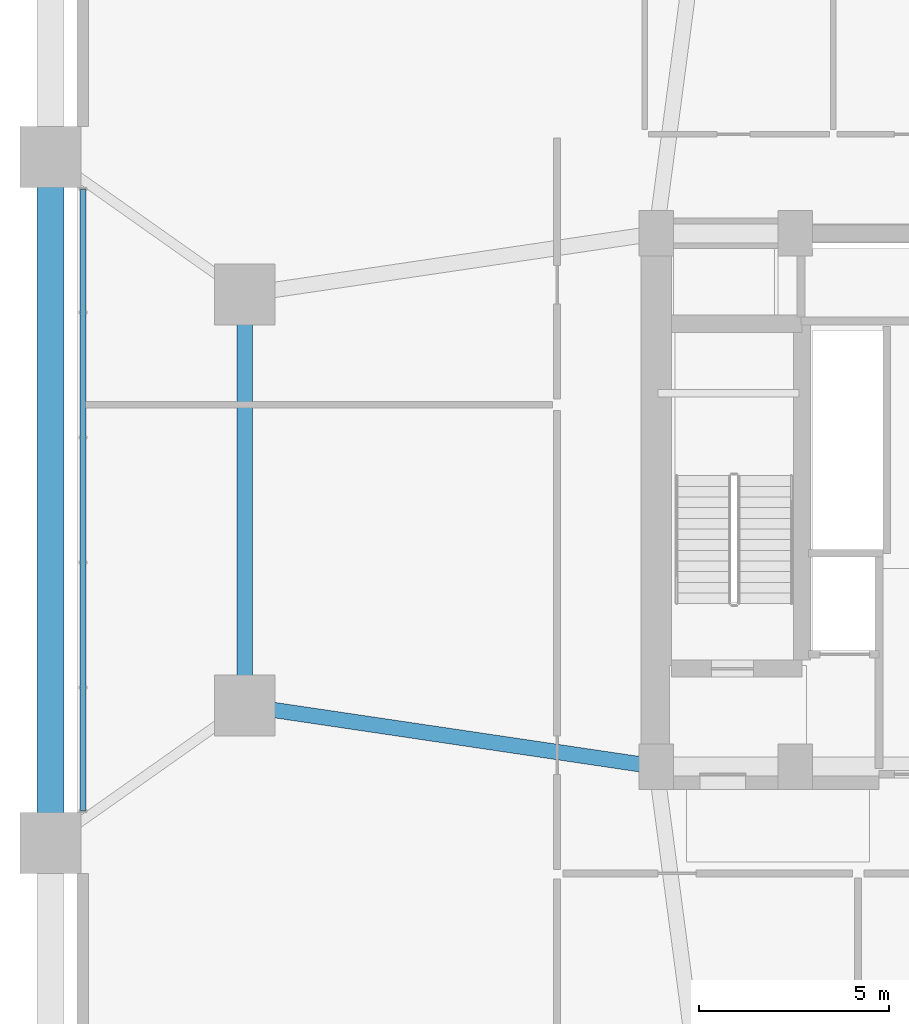
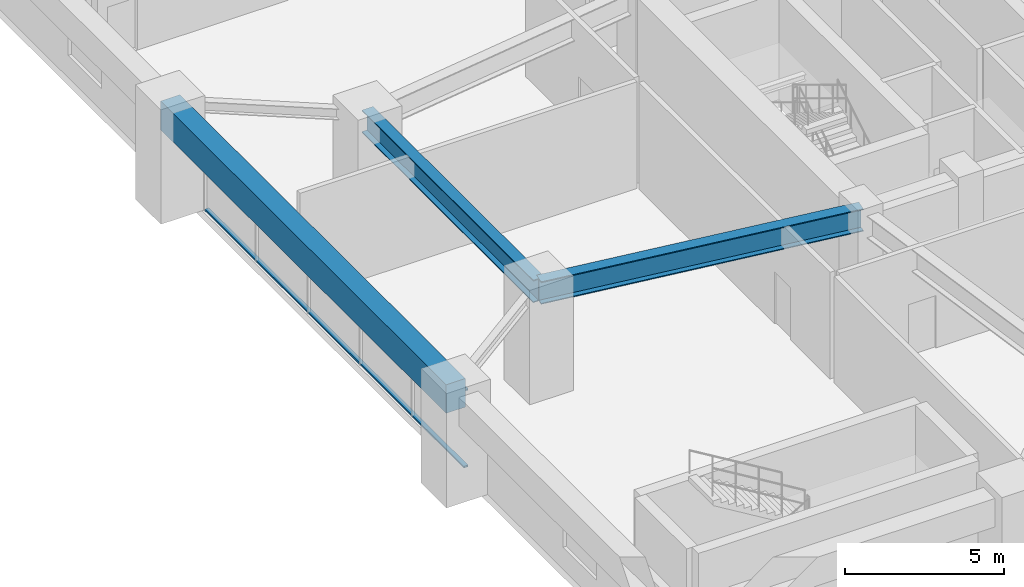
# One storey, part 5 of 16: 3 beams, 2 members, 1 element without a shape of its own.
"""IFC4 building model written with IfcOpenShell, lengths in metres."""

from ifc_helpers import new_model, si_unit, direction, frame, origin, origin_2d, place, context, subcontext, project, spatial, rectangle, hollow_rectangle, i_section, extrude, source, transform, mapped, material, layer, layer_set, material_profile, profile_set, type_object, element, aggregate, save


model = new_model("IFC4")

# Units and contexts
model_context = context("Model", 3, precision=1e-05, world=origin(), true_north=direction((0.0, 1.0)))
body_context = subcontext(model_context, "Body", "Model", "MODEL_VIEW")
ifc_project = project(units=[si_unit("LENGTHUNIT", "METRE"), si_unit("AREAUNIT", "SQUARE_METRE"), si_unit("VOLUMEUNIT", "CUBIC_METRE"), si_unit("PLANEANGLEUNIT", "RADIAN"), si_unit("MASSUNIT", "GRAM", prefix="KILO")], contexts=[model_context])

# Site, building, storey
site_placement = place(None, origin())
site = spatial("IfcSite", under=ifc_project, at=site_placement, CompositionType="ELEMENT")
building_placement = place(site_placement, origin())
building = spatial("IfcBuilding", under=site, at=building_placement, Name="Veraguas Prism Commons", CompositionType="ELEMENT")
storey_placement = place(building_placement, frame((0.0, 0.0, 14.0)))
storey = spatial("IfcBuildingStorey", under=building, at=storey_placement, Name="L03", CompositionType="ELEMENT", Elevation=14.0)

# Beams
ifc_material_1 = material(Name="Steel ASTM A992 Grade 50", Category="steel")
ifc_material_profile_1 = material_profile(ifc_material_1, i_section(OverallWidth=0.403076171875, OverallDepth=0.867919921875, WebThickness=0.02099609375, FlangeThickness=0.03564453125, at=origin_2d()), Name="W840X359")
ifc_profile_set_1 = profile_set([ifc_material_profile_1], Name="Steel ASTM A992 Grade 50")
beam_type_1 = type_object("IfcBeamType", Name="Concourse Primary Girder W840x359", PredefinedType="BEAM", material=ifc_profile_set_1)
beam_1_placement = place(storey_placement, frame((6.39990234375, 18.60009765625, 3.666015625), z_axis=(0.989202261707, -0.146556765224, 0.0), x_axis=(0.146556765224, 0.989202261707, 0.0)))
element("IfcBeam", 1, at=beam_1_placement, inside=storey, type_object=beam_type_1, Name="Concourse Radial Girder L03-TMR06", PredefinedType="BEAM", context=body_context, shape_type="SweptSolid", body=[
    extrude(i_section(OverallWidth=0.403076171875, OverallDepth=0.867919921875, WebThickness=0.02099609375, FlangeThickness=0.03564453125, at=origin_2d()), origin(), (0.0, 0.0, 1.0), 10.91796875),
])
beam_2_placement = place(storey_placement, frame((6.39990234375, 29.39990234375, 3.666015625), z_axis=(0.0, -1.0, 0.0), x_axis=(1.0, 0.0, 0.0)))
element("IfcBeam", 2, at=beam_2_placement, inside=storey, type_object=beam_type_1, Name="Concourse Ring Girder L03-TMH05", PredefinedType="BEAM", context=body_context, shape_type="SweptSolid", body=[
    extrude(i_section(OverallWidth=0.403076171875, OverallDepth=0.867919921875, WebThickness=0.02099609375, FlangeThickness=0.03564453125, at=origin_2d()), origin(), (0.0, 0.0, 1.0), 10.7998046875),
])
ifc_material_2 = material(Name="Concrete C50/60", Category="concrete")
ifc_material_profile_2 = material_profile(ifc_material_2, rectangle(XDim=0.699951171875, YDim=1.10009765625, at=origin_2d()), Name="RC700X1100")
ifc_profile_set_2 = profile_set([ifc_material_profile_2], Name="Concrete C50/60")
beam_type_2 = type_object("IfcBeamType", Name="Podium Primary Girder RC 700x1100", PredefinedType="BEAM", material=ifc_profile_set_2)
beam_3_placement = place(storey_placement, frame((1.300048828125, 33.0, 3.550048828125), z_axis=(0.0, -1.0, 0.0), x_axis=(1.0, 0.0, 0.0)))
element("IfcBeam", 3, at=beam_3_placement, inside=storey, type_object=beam_type_2, Name="Podium Perimeter Girder L03-PDR13", PredefinedType="BEAM", context=body_context, shape_type="SweptSolid", body=[
    extrude(rectangle(XDim=0.699951171875, YDim=1.10009765625, at=origin_2d()), origin(), (0.0, 0.0, 1.0), 18.0),
])

# Curtain wall, members
ifc_material_3 = material(Name="Anodised aluminium EN AW-6063 T6", Category="aluminium")
ifc_layer = layer(ifc_material_3, 0.199951171875, Name="Metro Concourse Structural Glazing", Category="aluminium")
ifc_layer_set = layer_set([ifc_layer], Name="Anodised aluminium EN AW-6063 T6")
curtain_wall_type = type_object("IfcCurtainWallType", Name="Metro Concourse Structural Glazing", PredefinedType="NOTDEFINED", material=ifc_layer_set)
curtain_wall_placement = place(storey_placement, origin())
curtain_wall = element("IfcCurtainWall", 4, at=curtain_wall_placement, inside=storey, type_object=curtain_wall_type, Name="Via Espana Metro Concourse Curtain Wall L03-W02", PredefinedType="NOTDEFINED")
ifc_material_profile_3 = material_profile(ifc_material_3, hollow_rectangle(XDim=0.06005859375, YDim=0.159912109375, WallThickness=0.0029296875, at=origin_2d()), Name="AL60X160X3")
ifc_profile_set_3 = profile_set([ifc_material_profile_3], Name="Anodised aluminium EN AW-6063 T6")
member_type = type_object("IfcMemberType", Name="Curtain Wall Transom Heavy AL 60x160x3", PredefinedType="USERDEFINED", material=ifc_profile_set_3)
shared_shape = source(origin(), body_context, "Body", "SweptSolid", [
    extrude(hollow_rectangle(XDim=0.06005859375, YDim=0.159912109375, WallThickness=0.0029296875, at=origin_2d()), origin(), (0.0, 0.0, 1.0), 16.3349609375),
])
member_1_placement = place(storey_placement, frame((2.14990234375, 32.16748046875, 0.030029296875), z_axis=(0.0, -1.0, 0.0), x_axis=(0.0, 0.0, 1.0)))
member_1 = element("IfcMember", 5, at=member_1_placement, type_object=member_type, Name="CW-STN Transom 1", ObjectType="TRANSOM", PredefinedType="USERDEFINED", context=body_context, shape_type="MappedRepresentation", body=[
    mapped(shared_shape, transform((0.0, 0.0, 0.0), scale=1.0)),
])
member_2_placement = place(storey_placement, frame((2.14990234375, 32.16748046875, 2.969970703125), z_axis=(0.0, -1.0, 0.0), x_axis=(0.0, 0.0, 1.0)))
member_2 = element("IfcMember", 6, at=member_2_placement, type_object=member_type, Name="CW-STN Transom 2", ObjectType="TRANSOM", PredefinedType="USERDEFINED", context=body_context, shape_type="MappedRepresentation", body=[
    mapped(shared_shape, transform((0.0, 0.0, 0.0), scale=1.0)),
])
aggregate(curtain_wall, [member_1, member_2])

save(model, "model.ifc")
